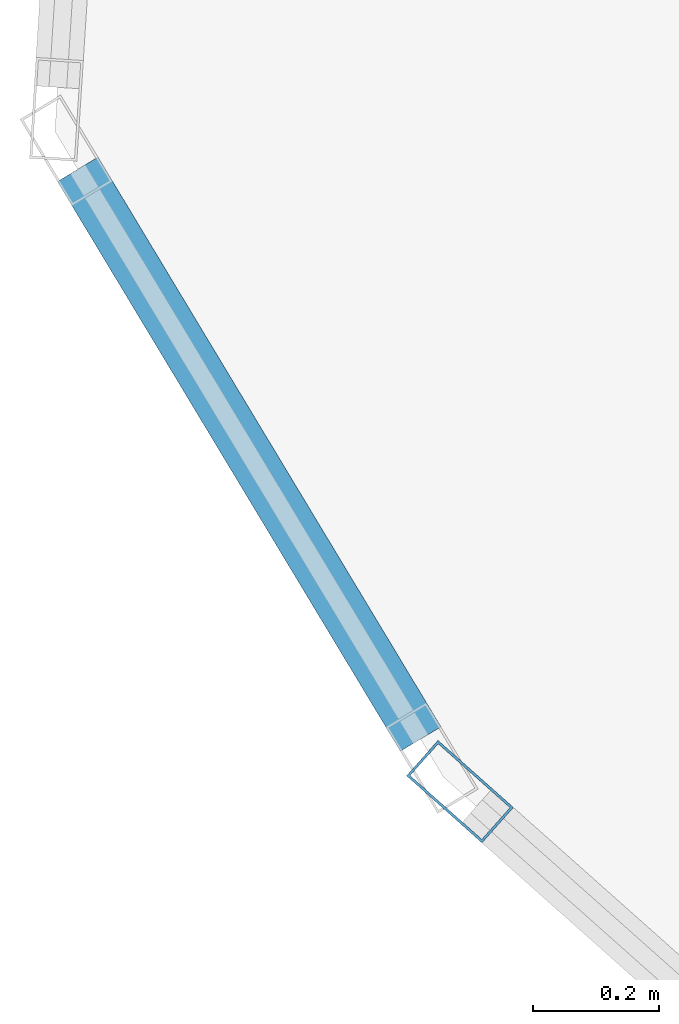
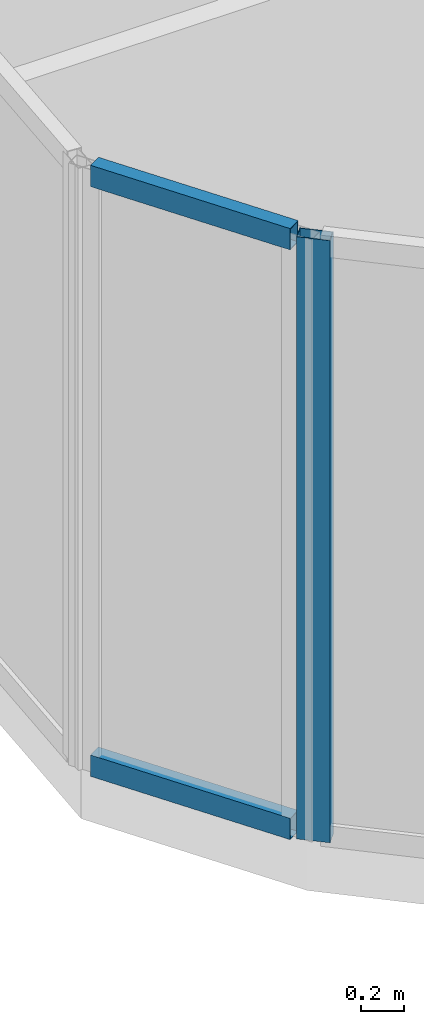
# One storey, part 4 of 27: 3 members, 2 elements without a shape of their own.
"""IFC4 building model written with IfcOpenShell, lengths in metres."""

from ifc_helpers import new_model, si_unit, direction, frame, origin, origin_2d, place, context, subcontext, project, spatial, hollow_rectangle, extrude, material, layer, layer_set, material_profile, profile_set, type_object, element, aggregate, save


model = new_model("IFC4")

# Units and contexts
model_context = context("Model", 3, precision=1e-05, world=origin(), true_north=direction((0.0, 1.0)))
body_context = subcontext(model_context, "Body", "Model", "MODEL_VIEW")
ifc_project = project(units=[si_unit("LENGTHUNIT", "METRE"), si_unit("AREAUNIT", "SQUARE_METRE"), si_unit("VOLUMEUNIT", "CUBIC_METRE"), si_unit("PLANEANGLEUNIT", "RADIAN"), si_unit("MASSUNIT", "GRAM", prefix="KILO")], contexts=[model_context])

# Site, building, storey
site_placement = place(None, origin())
site = spatial("IfcSite", under=ifc_project, at=site_placement, CompositionType="ELEMENT")
building_placement = place(site_placement, origin())
building = spatial("IfcBuilding", under=site, at=building_placement, Name="Keshet Zoharim Tower", CompositionType="ELEMENT")
storey_placement = place(building_placement, frame((0.0, 0.0, 262.10009765625)))
storey = spatial("IfcBuildingStorey", under=building, at=storey_placement, Name="L65", CompositionType="ELEMENT", Elevation=262.10009765625)

# Curtain wall, member
ifc_material = material(Name="Aluminium 6063-T6", Category="aluminium")
ifc_layer = layer(ifc_material, 0.260009765625)
ifc_layer_set = layer_set([ifc_layer], Name="Aluminium 6063-T6")
curtain_wall_type = type_object("IfcCurtainWallType", Name="CW-SYS-06", PredefinedType="NOTDEFINED", material=ifc_layer_set)
curtain_wall_1_placement = place(storey_placement, origin())
curtain_wall_1 = element("IfcCurtainWall", 1, at=curtain_wall_1_placement, inside=storey, type_object=curtain_wall_type, Name="L65 Unitised Curtain Wall 16 Part 3", PredefinedType="NOTDEFINED")
ifc_material_profile_1 = material_profile(ifc_material, hollow_rectangle(XDim=0.074951171875, YDim=0.159912109375, WallThickness=0.00390625, at=origin_2d()), Name="MUL-75x160")
ifc_profile_set_1 = profile_set([ifc_material_profile_1], Name="Aluminium 6063-T6")
member_type_1 = type_object("IfcMemberType", Name="CWM-M15", PredefinedType="MULLION", material=ifc_profile_set_1)
member_1_placement = place(storey_placement, frame((4.061279296875, 21.7568359375, 0.0), z_axis=(0.0, 0.0, 1.0), x_axis=(-0.664363838836, -0.747409318679, 0.0)))
member_1 = element("IfcMember", 2, at=member_1_placement, type_object=member_type_1, Name="CW-06 mullion 2", PredefinedType="MULLION", context=body_context, shape_type="SweptSolid", body=[
    extrude(hollow_rectangle(XDim=0.074951171875, YDim=0.159912109375, WallThickness=0.00390625, at=origin_2d()), origin(), (0.0, 0.0, 1.0), 3.389892578125),
])
aggregate(curtain_wall_1, [member_1])

# Curtain wall, members
curtain_wall_2_placement = place(storey_placement, origin())
curtain_wall_2 = element("IfcCurtainWall", 3, at=curtain_wall_2_placement, inside=storey, type_object=curtain_wall_type, Name="L65 Unitised Curtain Wall 01", PredefinedType="NOTDEFINED")
ifc_material_profile_2 = material_profile(ifc_material, hollow_rectangle(XDim=0.074951171875, YDim=0.1201171875, WallThickness=0.00390625, at=origin_2d()), Name="TRN-75x120")
ifc_profile_set_2 = profile_set([ifc_material_profile_2], Name="Aluminium 6063-T6")
member_type_2 = type_object("IfcMemberType", Name="CWT-T12", PredefinedType="USERDEFINED", material=ifc_profile_set_2)
member_2_placement = place(storey_placement, frame((3.9990234375, 21.840087890625, 0.034912109375), z_axis=(-0.515791194107, 0.856714330499, 0.0), x_axis=(-0.856714330499, -0.515791194107, 0.0)))
member_2 = element("IfcMember", 4, at=member_2_placement, type_object=member_type_2, Name="CW-06 transom 1.1", ObjectType="TRANSOM", PredefinedType="USERDEFINED", context=body_context, shape_type="SweptSolid", body=[
    extrude(hollow_rectangle(XDim=0.074951171875, YDim=0.1201171875, WallThickness=0.00390625, at=origin_2d()), origin(), (0.0, 0.0, 1.0), 1.052734375),
])
member_3_placement = place(storey_placement, frame((3.9990234375, 21.840087890625, 3.35498046875), z_axis=(-0.515791194107, 0.856714330499, 0.0), x_axis=(-0.856714330499, -0.515791194107, 0.0)))
member_3 = element("IfcMember", 5, at=member_3_placement, type_object=member_type_2, Name="CW-06 transom 1.2", ObjectType="TRANSOM", PredefinedType="USERDEFINED", context=body_context, shape_type="SweptSolid", body=[
    extrude(hollow_rectangle(XDim=0.074951171875, YDim=0.1201171875, WallThickness=0.00390625, at=origin_2d()), origin(), (0.0, 0.0, 1.0), 1.052734375),
])
aggregate(curtain_wall_2, [member_2, member_3])

save(model, "model.ifc")
